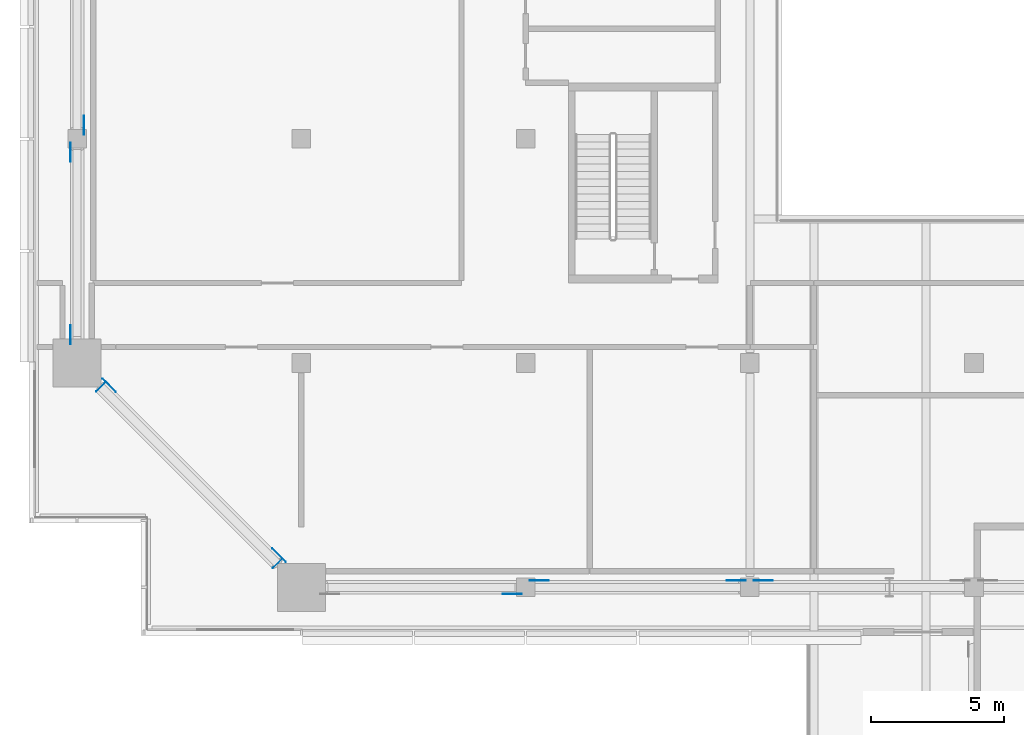
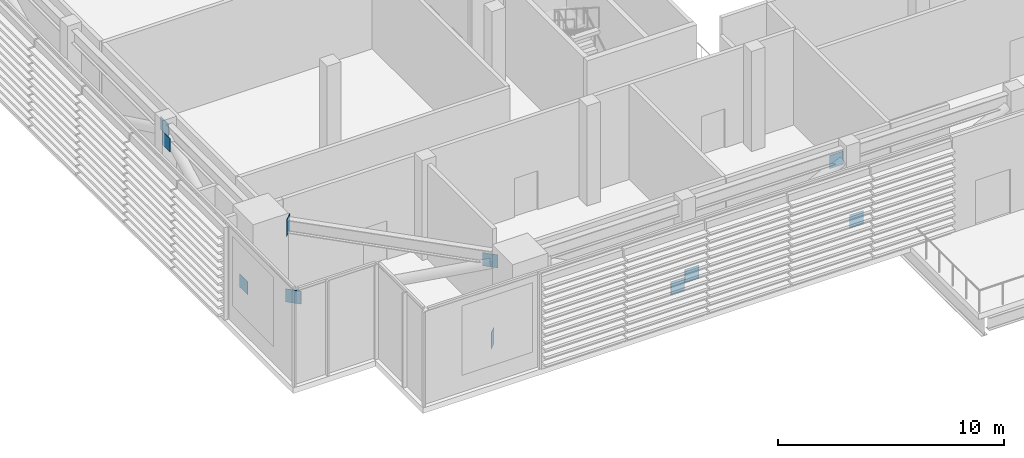
# One storey, part 19 of 29: 11 discrete accessories.
"""IFC4 building model written with IfcOpenShell, lengths in metres."""

from ifc_helpers import new_model, si_unit, direction, frame, origin, origin_2d, place, context, subcontext, project, spatial, rectangle, extrude, element, save


model = new_model("IFC4")

# Units and contexts
model_context = context("Model", 3, precision=1e-05, world=origin(), true_north=direction((0.0, 1.0)))
body_context = subcontext(model_context, "Body", "Model", "MODEL_VIEW")
ifc_project = project(units=[si_unit("LENGTHUNIT", "METRE"), si_unit("AREAUNIT", "SQUARE_METRE"), si_unit("VOLUMEUNIT", "CUBIC_METRE"), si_unit("PLANEANGLEUNIT", "RADIAN"), si_unit("MASSUNIT", "GRAM", prefix="KILO")], contexts=[model_context])

# Site, building, storey
site_placement = place(None, origin())
site = spatial("IfcSite", under=ifc_project, at=site_placement, CompositionType="ELEMENT")
building_placement = place(site_placement, origin())
building = spatial("IfcBuilding", under=site, at=building_placement, Name="Saffron Gate Tower", CompositionType="ELEMENT")
storey_placement = place(building_placement, frame((0.0, 0.0, 142.050048828125)))
storey = spatial("IfcBuildingStorey", under=building, at=storey_placement, Name="L34", CompositionType="ELEMENT", Elevation=142.050048828125)

# Discrete accessories
for number, where, z_axis, x_axis, name in (
    (1, (49.5458984375, 41.2578125, 0.426513671875), (0.0, 0.0, 1.0), (0.0, 1.0, 0.0), "GUSSET PLATE"),
    (2, (49.5458984375, 48.09228515625, 3.982421875), (0.0, 0.0, 1.0), (0.0, 1.0, 0.0), "GUSSET PLATE"),
    (3, (50.053955078125, 49.110107421875, 3.987060546875), (0.0, 0.0, 1.0), (0.0, -1.0, 0.0), "GUSSET PLATE"),
    (4, (66.09228515625, 31.5458984375, 0.426513671875), (0.0, 0.0, 1.0), (-1.0, 0.0, 0.0), "GUSSET PLATE"),
    (5, (67.110107421875, 32.053955078125, 0.421875), (0.0, 0.0, 1.0), (1.0, 0.0, 0.0), "GUSSET PLATE"),
    (6, (74.489990234375, 32.053955078125, 3.987060546875), (0.0, 0.0, 1.0), (1.0, 0.0, 0.0), "GUSSET PLATE"),
    (7, (75.510009765625, 32.053955078125, 0.421875), (0.0, 0.0, 1.0), (1.0, 0.0, 0.0), "GUSSET PLATE"),
    (8, (50.996337890625, 39.36279296875, 0.410400390625), (0.0, 0.0, 1.0), (0.707106781187, -0.707106781187, 0.0), "GUSSET PLATE"),
    (9, (57.36279296875, 32.996337890625, 3.998779296875), (0.0, 0.0, 1.0), (0.707106781187, -0.707106781187, 0.0), "GUSSET PLATE"),
):
    element("IfcDiscreteAccessory", number, at=place(storey_placement, frame(where, z_axis=z_axis, x_axis=x_axis)), inside=storey, Name=name, ObjectType="GUSSET PLATE", PredefinedType="USERDEFINED", context=body_context, shape_type="SweptSolid", body=[
        extrude(rectangle(XDim=0.7109375, YDim=0.02001953125, at=origin_2d()), origin(), (0.0, 0.0, 1.0), 0.7109375),
    ])
for number, where, z_axis, x_axis, name in (
    (10, (50.69287109375, 39.30712890625, 4.320068359375), (0.0, 0.0, 1.0), (-0.707106781187, 0.707106781187, 0.0), "BELT TRUSS END PLATE"),
    (11, (57.30712890625, 32.69287109375, -0.10009765625), (0.0, 0.0, 1.0), (0.707106781187, -0.707106781187, 0.0), "BELT TRUSS END PLATE"),
):
    element("IfcDiscreteAccessory", number, at=place(storey_placement, frame(where, z_axis=z_axis, x_axis=x_axis)), inside=storey, Name=name, ObjectType="BELT TRUSS END PLATE", PredefinedType="USERDEFINED", context=body_context, shape_type="SweptSolid", body=[
        extrude(rectangle(XDim=0.02001953125, YDim=0.5, at=origin_2d()), origin(), (0.0, 0.0, 1.0), 0.89990234375),
    ])

save(model, "model.ifc")
